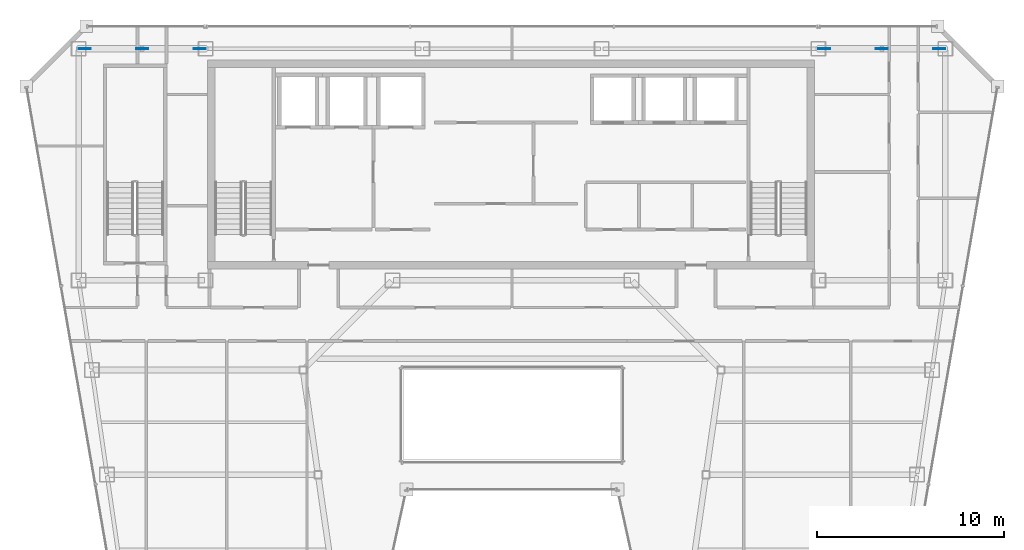
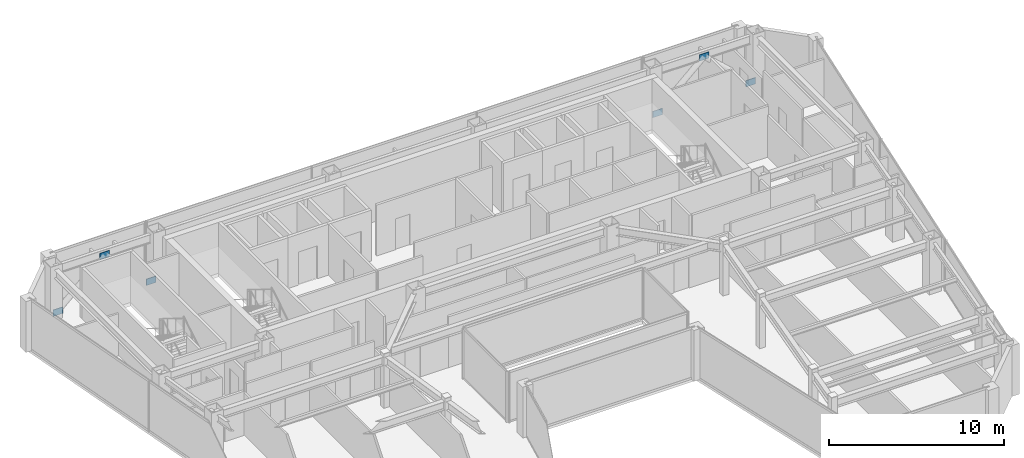
# One storey, part 25 of 33: 6 plates.
"""IFC4 building model written with IfcOpenShell, lengths in metres."""

from ifc_helpers import new_model, si_unit, direction, frame, origin, origin_2d, place, context, subcontext, project, spatial, rectangle, extrude, material, layer, layer_set, type_object, element, save


model = new_model("IFC4")

# Units and contexts
model_context = context("Model", 3, precision=1e-05, world=origin(), true_north=direction((0.0, 1.0)))
body_context = subcontext(model_context, "Body", "Model", "MODEL_VIEW")
ifc_project = project(units=[si_unit("LENGTHUNIT", "METRE"), si_unit("AREAUNIT", "SQUARE_METRE"), si_unit("VOLUMEUNIT", "CUBIC_METRE"), si_unit("PLANEANGLEUNIT", "RADIAN"), si_unit("MASSUNIT", "GRAM", prefix="KILO")], contexts=[model_context])

# Site, building, storey
site_placement = place(None, origin())
site = spatial("IfcSite", under=ifc_project, at=site_placement, CompositionType="ELEMENT")
building_placement = place(site_placement, origin())
building = spatial("IfcBuilding", under=site, at=building_placement, Name="Saevonmaru Cultural Tower", CompositionType="ELEMENT")
storey_placement = place(building_placement, frame((0.0, 0.0, 234.39990234375)))
storey = spatial("IfcBuildingStorey", under=building, at=storey_placement, Name="L54", CompositionType="ELEMENT", Elevation=234.39990234375)

# Plates
ifc_material = material(Name="Steel HSA600 (600 MPa)", Category="steel")
ifc_layer = layer(ifc_material, 0.0400390625, Name="Steel HSA600 (600 MPa)")
ifc_layer_set = layer_set([ifc_layer], Name="Steel HSA600 (600 MPa)")
plate_type = type_object("IfcPlateType", Name="PL-GUSSET-EXT", PredefinedType="USERDEFINED", material=ifc_layer_set)
for number, where, z_axis, x_axis, name in (
    (1, (10.199951171875, 54.800048828125, 2.900146484375), (0.0, 0.0, 1.0), (1.0, 0.0, 0.0), "L54 Perimeter Tube Gusset Plate"),
    (2, (7.1201171875, 54.800048828125, 0.02001953125), (0.0, 0.0, 1.0), (1.0, 0.0, 0.0), "L54 Perimeter Tube Gusset Plate"),
    (3, (13.280029296875, 54.800048828125, 0.02001953125), (0.0, 0.0, 1.0), (1.0, 0.0, 0.0), "L54 Perimeter Tube Gusset Plate"),
    (4, (49.800048828125, 54.800048828125, 2.900146484375), (0.0, 0.0, 1.0), (1.0, 0.0, 0.0), "L54 Perimeter Tube Gusset Plate"),
    (5, (46.719970703125, 54.800048828125, 0.02001953125), (0.0, 0.0, 1.0), (1.0, 0.0, 0.0), "L54 Perimeter Tube Gusset Plate"),
    (6, (52.8798828125, 54.800048828125, 0.02001953125), (0.0, 0.0, 1.0), (1.0, 0.0, 0.0), "L54 Perimeter Tube Gusset Plate"),
):
    element("IfcPlate", number, at=place(storey_placement, frame(where, z_axis=z_axis, x_axis=x_axis)), inside=storey, type_object=plate_type, Name=name, ObjectType="GUSSET_PLATE", PredefinedType="USERDEFINED", context=body_context, shape_type="SweptSolid", body=[
        extrude(rectangle(XDim=0.639892578125, YDim=0.0400390625, at=origin_2d()), origin(), (0.0, 0.0, 1.0), 0.43994140625),
    ])

save(model, "model.ifc")
